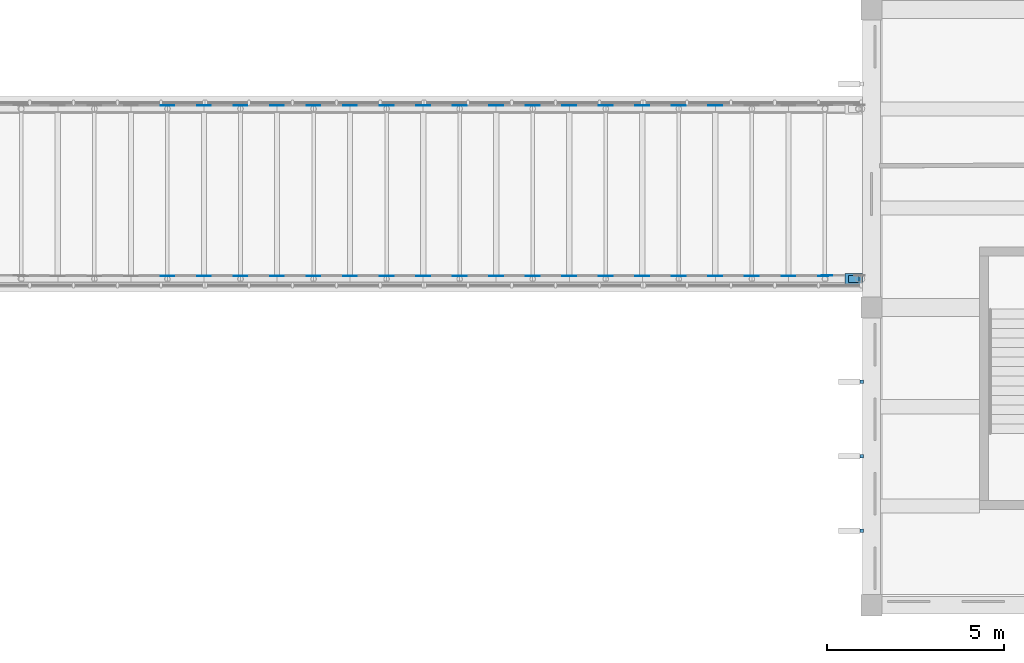
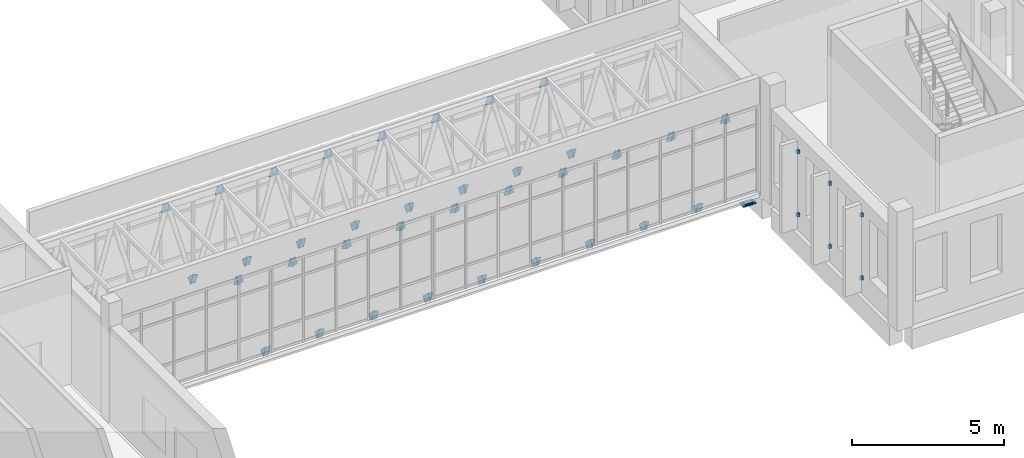
# One storey, part 81 of 119: 78 discrete accessories.
"""IFC4 building model written with IfcOpenShell, lengths in metres."""

from ifc_helpers import new_model, si_unit, direction, frame, origin, origin_2d, place, context, subcontext, project, spatial, rectangle, extrude, material, layer, layer_set, material_profile, profile_set, type_object, element, save


model = new_model("IFC4")

# Units and contexts
model_context = context("Model", 3, precision=1e-05, world=origin(), true_north=direction((0.0, 1.0)))
body_context = subcontext(model_context, "Body", "Model", "MODEL_VIEW")
ifc_project = project(units=[si_unit("LENGTHUNIT", "METRE"), si_unit("AREAUNIT", "SQUARE_METRE"), si_unit("VOLUMEUNIT", "CUBIC_METRE"), si_unit("PLANEANGLEUNIT", "RADIAN"), si_unit("MASSUNIT", "GRAM", prefix="KILO")], contexts=[model_context])

# Site, building, storey
site_placement = place(None, origin())
site = spatial("IfcSite", under=ifc_project, at=site_placement, CompositionType="ELEMENT")
building_placement = place(site_placement, origin())
building = spatial("IfcBuilding", under=site, at=building_placement, Name="Larchfold Concert Hall", CompositionType="ELEMENT")
storey_placement = place(building_placement, frame((0.0, 0.0, 4.800048828125)))
storey = spatial("IfcBuildingStorey", under=building, at=storey_placement, Name="L01", CompositionType="ELEMENT", Elevation=4.800048828125)

# Discrete accessories
ifc_material_1 = material(Name="Steel S355 galvanised bracket", Category="steel")
ifc_layer_1 = layer(ifc_material_1, 0.10009765625)
ifc_layer_set_1 = layer_set([ifc_layer_1], Name="Steel S355 galvanised bracket")
discrete_accessory_type_1 = type_object("IfcDiscreteAccessoryType", Name="Fin support bracket", PredefinedType="BRACKET", material=ifc_layer_set_1)
for number, where, z_axis, x_axis, name in (
    (1, (84.3251953125, 2.699951171875, 0.6298828125), (0.0, 0.0, 1.0), (-1.0, 0.0, 0.0), "Fin bracket FN-L01-067-1"),
    (2, (84.3251953125, 2.699951171875, 3.169921875), (0.0, 0.0, 1.0), (-1.0, 0.0, 0.0), "Fin bracket FN-L01-067-2"),
    (3, (84.3251953125, 4.800048828125, 0.6298828125), (0.0, 0.0, 1.0), (-1.0, 0.0, 0.0), "Fin bracket FN-L01-068-1"),
    (4, (84.3251953125, 4.800048828125, 3.169921875), (0.0, 0.0, 1.0), (-1.0, 0.0, 0.0), "Fin bracket FN-L01-068-2"),
    (5, (84.3251953125, 6.89990234375, 0.6298828125), (0.0, 0.0, 1.0), (-1.0, 0.0, 0.0), "Fin bracket FN-L01-069-1"),
    (6, (84.3251953125, 6.89990234375, 3.169921875), (0.0, 0.0, 1.0), (-1.0, 0.0, 0.0), "Fin bracket FN-L01-069-2"),
):
    element("IfcDiscreteAccessory", number, at=place(storey_placement, frame(where, z_axis=z_axis, x_axis=x_axis)), inside=storey, type_object=discrete_accessory_type_1, Name=name, PredefinedType="BRACKET", context=body_context, shape_type="SweptSolid", body=[
        extrude(rectangle(XDim=0.10009765625, YDim=0.10009765625, at=origin_2d()), origin(), (0.0, 0.0, 1.0), 0.139892578125),
    ])
ifc_material_2 = material(Name="Steel S355 galvanised bracket", Category="steel")
ifc_material_profile = material_profile(ifc_material_2, rectangle(XDim=0.011962890625, YDim=0.199951171875, at=origin_2d()))
ifc_profile_set = profile_set([ifc_material_profile], Name="Steel S355 galvanised bracket")
discrete_accessory_type_2 = type_object("IfcDiscreteAccessoryType", Name="Gusset plate 12x200", PredefinedType="BRACKET", material=ifc_profile_set)
for number, where, z_axis, x_axis, name in (
    (7, (64.65185546875, 9.89013671875, 2.947265625), (0.27500862401, 0.0, 0.961441759401), (0.0, 1.0, 0.0), "Gusset plate GP0816"),
    (8, (64.755615234375, 9.89013671875, 3.270751953125), (0.27500862401, 0.0, -0.961441759401), (0.0, 1.0, 0.0), "Gusset plate GP0817"),
    (9, (65.681640625, 9.89013671875, 0.03271484375), (0.27500862401, 0.0, -0.961441759401), (0.0, 1.0, 0.0), "Gusset plate GP0818"),
    (10, (65.785400390625, 9.89013671875, -0.290771484375), (0.27500862401, 0.0, 0.961441759401), (0.0, 1.0, 0.0), "Gusset plate GP0819"),
    (11, (66.711669921875, 9.89013671875, 2.947265625), (0.27500862401, 0.0, 0.961441759401), (0.0, 1.0, 0.0), "Gusset plate GP0820"),
    (12, (66.8154296875, 9.89013671875, 3.270751953125), (0.27500862401, 0.0, -0.961441759401), (0.0, 1.0, 0.0), "Gusset plate GP0821"),
    (13, (67.74169921875, 9.89013671875, 0.03271484375), (0.27500862401, 0.0, -0.961441759401), (0.0, 1.0, 0.0), "Gusset plate GP0822"),
    (14, (67.845458984375, 9.89013671875, -0.290771484375), (0.27500862401, 0.0, 0.961441759401), (0.0, 1.0, 0.0), "Gusset plate GP0823"),
    (15, (68.771728515625, 9.89013671875, 2.947265625), (0.27500862401, 0.0, 0.961441759401), (0.0, 1.0, 0.0), "Gusset plate GP0824"),
    (16, (68.87548828125, 9.89013671875, 3.270751953125), (0.27500862401, 0.0, -0.961441759401), (0.0, 1.0, 0.0), "Gusset plate GP0825"),
    (17, (69.8017578125, 9.89013671875, 0.03271484375), (0.27500862401, 0.0, -0.961441759401), (0.0, 1.0, 0.0), "Gusset plate GP0826"),
    (18, (69.905517578125, 9.89013671875, -0.290771484375), (0.27500862401, 0.0, 0.961441759401), (0.0, 1.0, 0.0), "Gusset plate GP0827"),
    (19, (70.831787109375, 9.89013671875, 2.947265625), (0.27500862401, 0.0, 0.961441759401), (0.0, 1.0, 0.0), "Gusset plate GP0828"),
    (20, (70.935546875, 9.89013671875, 3.270751953125), (0.27500862401, 0.0, -0.961441759401), (0.0, 1.0, 0.0), "Gusset plate GP0829"),
    (21, (71.86181640625, 9.89013671875, 0.03271484375), (0.27500862401, 0.0, -0.961441759401), (0.0, 1.0, 0.0), "Gusset plate GP0830"),
    (22, (71.965576171875, 9.89013671875, -0.290771484375), (0.27500862401, 0.0, 0.961441759401), (0.0, 1.0, 0.0), "Gusset plate GP0831"),
    (23, (72.891845703125, 9.89013671875, 2.947265625), (0.27500862401, 0.0, 0.961441759401), (0.0, 1.0, 0.0), "Gusset plate GP0832"),
    (24, (72.99560546875, 9.89013671875, 3.270751953125), (0.27500862401, 0.0, -0.961441759401), (0.0, 1.0, 0.0), "Gusset plate GP0833"),
    (25, (73.921875, 9.89013671875, 0.03271484375), (0.27500862401, 0.0, -0.961441759401), (0.0, 1.0, 0.0), "Gusset plate GP0834"),
    (26, (74.025634765625, 9.89013671875, -0.290771484375), (0.27500862401, 0.0, 0.961441759401), (0.0, 1.0, 0.0), "Gusset plate GP0835"),
    (27, (74.951904296875, 9.89013671875, 2.947265625), (0.27500862401, 0.0, 0.961441759401), (0.0, 1.0, 0.0), "Gusset plate GP0836"),
    (28, (75.0556640625, 9.89013671875, 3.270751953125), (0.27500862401, 0.0, -0.961441759401), (0.0, 1.0, 0.0), "Gusset plate GP0837"),
    (29, (75.98193359375, 9.89013671875, 0.03271484375), (0.27500862401, 0.0, -0.961441759401), (0.0, 1.0, 0.0), "Gusset plate GP0838"),
    (30, (76.085693359375, 9.89013671875, -0.290771484375), (0.27500862401, 0.0, 0.961441759401), (0.0, 1.0, 0.0), "Gusset plate GP0839"),
    (31, (77.011962890625, 9.89013671875, 2.947265625), (0.27500862401, 0.0, 0.961441759401), (0.0, 1.0, 0.0), "Gusset plate GP0840"),
    (32, (77.11572265625, 9.89013671875, 3.270751953125), (0.27500862401, 0.0, -0.961441759401), (0.0, 1.0, 0.0), "Gusset plate GP0841"),
    (33, (78.0419921875, 9.89013671875, 0.03271484375), (0.27500862401, 0.0, -0.961441759401), (0.0, 1.0, 0.0), "Gusset plate GP0842"),
    (34, (78.145751953125, 9.89013671875, -0.290771484375), (0.27500862401, 0.0, 0.961441759401), (0.0, 1.0, 0.0), "Gusset plate GP0843"),
    (35, (79.07177734375, 9.89013671875, 2.947265625), (0.27500862401, 0.0, 0.961441759401), (0.0, 1.0, 0.0), "Gusset plate GP0844"),
    (36, (79.175537109375, 9.89013671875, 3.270751953125), (0.27500862401, 0.0, -0.961441759401), (0.0, 1.0, 0.0), "Gusset plate GP0845"),
    (37, (80.101806640625, 9.89013671875, 0.03271484375), (0.27500862401, 0.0, -0.961441759401), (0.0, 1.0, 0.0), "Gusset plate GP0846"),
    (38, (80.20556640625, 9.89013671875, -0.290771484375), (0.27500862401, 0.0, 0.961441759401), (0.0, 1.0, 0.0), "Gusset plate GP0847"),
    (39, (81.1318359375, 9.89013671875, 2.947265625), (0.27500862401, 0.0, 0.961441759401), (0.0, 1.0, 0.0), "Gusset plate GP0848"),
    (40, (81.235595703125, 9.89013671875, 3.270751953125), (0.27500862401, 0.0, -0.961441759401), (0.0, 1.0, 0.0), "Gusset plate GP0849"),
    (41, (82.161865234375, 9.89013671875, 0.03271484375), (0.27500862401, 0.0, -0.961441759401), (0.0, 1.0, 0.0), "Gusset plate GP0850"),
    (42, (82.265625, 9.89013671875, -0.290771484375), (0.27500862401, 0.0, 0.961441759401), (0.0, 1.0, 0.0), "Gusset plate GP0851"),
    (43, (83.19189453125, 9.89013671875, 2.947265625), (0.27500862401, 0.0, 0.961441759401), (0.0, 1.0, 0.0), "Gusset plate GP0852"),
):
    element("IfcDiscreteAccessory", number, at=place(storey_placement, frame(where, z_axis=z_axis, x_axis=x_axis)), inside=storey, type_object=discrete_accessory_type_2, Name=name, PredefinedType="BRACKET", context=body_context, shape_type="SweptSolid", body=[
        extrude(rectangle(XDim=0.011962890625, YDim=0.199951171875, at=origin_2d()), origin(), (0.0, 0.0, 1.0), 0.33642578125),
    ])
discrete_accessory_1_placement = place(storey_placement, frame((83.295654296875, 9.90283203125, 3.270751953125), z_axis=(0.274887664685, 0.0, -0.961476350101), x_axis=(0.0, 1.0, 0.0)))
element("IfcDiscreteAccessory", 44, at=discrete_accessory_1_placement, inside=storey, type_object=discrete_accessory_type_2, Name="Gusset plate GP0853", PredefinedType="BRACKET", context=body_context, shape_type="SweptSolid", body=[
    extrude(rectangle(XDim=0.011962890625, YDim=0.199951171875, at=origin_2d()), origin(), (0.0, 0.0, 1.0), 0.38720703125),
])
for number, where, z_axis, x_axis, name in (
    (45, (64.65185546875, 14.690185546875, 2.947265625), (0.27500862401, 0.0, 0.961441759401), (0.0, 1.0, 0.0), "Gusset plate GP0868"),
    (46, (64.755615234375, 14.690185546875, 3.270751953125), (0.27500862401, 0.0, -0.961441759401), (0.0, 1.0, 0.0), "Gusset plate GP0869"),
    (47, (65.681640625, 14.690185546875, 0.03271484375), (0.27500862401, 0.0, -0.961441759401), (0.0, 1.0, 0.0), "Gusset plate GP0870"),
    (48, (65.785400390625, 14.690185546875, -0.290771484375), (0.27500862401, 0.0, 0.961441759401), (0.0, 1.0, 0.0), "Gusset plate GP0871"),
    (49, (66.711669921875, 14.690185546875, 2.947265625), (0.27500862401, 0.0, 0.961441759401), (0.0, 1.0, 0.0), "Gusset plate GP0872"),
    (50, (66.8154296875, 14.690185546875, 3.270751953125), (0.27500862401, 0.0, -0.961441759401), (0.0, 1.0, 0.0), "Gusset plate GP0873"),
    (51, (67.74169921875, 14.690185546875, 0.03271484375), (0.27500862401, 0.0, -0.961441759401), (0.0, 1.0, 0.0), "Gusset plate GP0874"),
    (52, (67.845458984375, 14.690185546875, -0.290771484375), (0.27500862401, 0.0, 0.961441759401), (0.0, 1.0, 0.0), "Gusset plate GP0875"),
    (53, (68.771728515625, 14.690185546875, 2.947265625), (0.27500862401, 0.0, 0.961441759401), (0.0, 1.0, 0.0), "Gusset plate GP0876"),
    (54, (68.87548828125, 14.690185546875, 3.270751953125), (0.27500862401, 0.0, -0.961441759401), (0.0, 1.0, 0.0), "Gusset plate GP0877"),
    (55, (69.8017578125, 14.690185546875, 0.03271484375), (0.27500862401, 0.0, -0.961441759401), (0.0, 1.0, 0.0), "Gusset plate GP0878"),
    (56, (69.905517578125, 14.690185546875, -0.290771484375), (0.27500862401, 0.0, 0.961441759401), (0.0, 1.0, 0.0), "Gusset plate GP0879"),
    (57, (70.831787109375, 14.690185546875, 2.947265625), (0.27500862401, 0.0, 0.961441759401), (0.0, 1.0, 0.0), "Gusset plate GP0880"),
    (58, (70.935546875, 14.690185546875, 3.270751953125), (0.27500862401, 0.0, -0.961441759401), (0.0, 1.0, 0.0), "Gusset plate GP0881"),
    (59, (71.86181640625, 14.690185546875, 0.03271484375), (0.27500862401, 0.0, -0.961441759401), (0.0, 1.0, 0.0), "Gusset plate GP0882"),
    (60, (71.965576171875, 14.690185546875, -0.290771484375), (0.27500862401, 0.0, 0.961441759401), (0.0, 1.0, 0.0), "Gusset plate GP0883"),
    (61, (72.891845703125, 14.690185546875, 2.947265625), (0.27500862401, 0.0, 0.961441759401), (0.0, 1.0, 0.0), "Gusset plate GP0884"),
    (62, (72.99560546875, 14.690185546875, 3.270751953125), (0.27500862401, 0.0, -0.961441759401), (0.0, 1.0, 0.0), "Gusset plate GP0885"),
    (63, (73.921875, 14.690185546875, 0.03271484375), (0.27500862401, 0.0, -0.961441759401), (0.0, 1.0, 0.0), "Gusset plate GP0886"),
    (64, (74.025634765625, 14.690185546875, -0.290771484375), (0.27500862401, 0.0, 0.961441759401), (0.0, 1.0, 0.0), "Gusset plate GP0887"),
    (65, (74.951904296875, 14.690185546875, 2.947265625), (0.27500862401, 0.0, 0.961441759401), (0.0, 1.0, 0.0), "Gusset plate GP0888"),
    (66, (75.0556640625, 14.690185546875, 3.270751953125), (0.27500862401, 0.0, -0.961441759401), (0.0, 1.0, 0.0), "Gusset plate GP0889"),
    (67, (75.98193359375, 14.690185546875, 0.03271484375), (0.27500862401, 0.0, -0.961441759401), (0.0, 1.0, 0.0), "Gusset plate GP0890"),
    (68, (76.085693359375, 14.690185546875, -0.290771484375), (0.27500862401, 0.0, 0.961441759401), (0.0, 1.0, 0.0), "Gusset plate GP0891"),
    (69, (77.011962890625, 14.690185546875, 2.947265625), (0.27500862401, 0.0, 0.961441759401), (0.0, 1.0, 0.0), "Gusset plate GP0892"),
    (70, (77.11572265625, 14.690185546875, 3.270751953125), (0.27500862401, 0.0, -0.961441759401), (0.0, 1.0, 0.0), "Gusset plate GP0893"),
    (71, (78.0419921875, 14.690185546875, 0.03271484375), (0.27500862401, 0.0, -0.961441759401), (0.0, 1.0, 0.0), "Gusset plate GP0894"),
    (72, (78.145751953125, 14.690185546875, -0.290771484375), (0.27500862401, 0.0, 0.961441759401), (0.0, 1.0, 0.0), "Gusset plate GP0895"),
    (73, (79.07177734375, 14.690185546875, 2.947265625), (0.27500862401, 0.0, 0.961441759401), (0.0, 1.0, 0.0), "Gusset plate GP0896"),
    (74, (79.175537109375, 14.690185546875, 3.270751953125), (0.27500862401, 0.0, -0.961441759401), (0.0, 1.0, 0.0), "Gusset plate GP0897"),
    (75, (80.101806640625, 14.690185546875, 0.03271484375), (0.27500862401, 0.0, -0.961441759401), (0.0, 1.0, 0.0), "Gusset plate GP0898"),
    (76, (80.20556640625, 14.690185546875, -0.290771484375), (0.27500862401, 0.0, 0.961441759401), (0.0, 1.0, 0.0), "Gusset plate GP0899"),
):
    element("IfcDiscreteAccessory", number, at=place(storey_placement, frame(where, z_axis=z_axis, x_axis=x_axis)), inside=storey, type_object=discrete_accessory_type_2, Name=name, PredefinedType="BRACKET", context=body_context, shape_type="SweptSolid", body=[
        extrude(rectangle(XDim=0.011962890625, YDim=0.199951171875, at=origin_2d()), origin(), (0.0, 0.0, 1.0), 0.33642578125),
    ])
ifc_material_3 = material(Name="Steel S355 galvanised bracket", Category="steel")
ifc_layer_2 = layer(ifc_material_3, 0.030029296875)
ifc_layer_set_2 = layer_set([ifc_layer_2], Name="Steel S355 galvanised bracket")
discrete_accessory_type_3 = type_object("IfcDiscreteAccessoryType", Name="Link bridge seat plate 500x300x30", PredefinedType="BRACKET", material=ifc_layer_set_2)
discrete_accessory_2_placement = place(storey_placement, frame((84.10009765625, 9.800048828125, -0.5302734375), z_axis=(0.0, 0.0, 1.0), x_axis=(1.0, 0.0, 0.0)))
element("IfcDiscreteAccessory", 77, at=discrete_accessory_2_placement, inside=storey, type_object=discrete_accessory_type_3, Name="Link bridge seat LBT1", PredefinedType="BRACKET", context=body_context, shape_type="SweptSolid", body=[
    extrude(rectangle(XDim=0.5, YDim=0.300048828125, at=origin_2d()), origin(), (0.0, 0.0, 1.0), 0.030029296875),
])
ifc_material_4 = material(Name="Steel S355 sliding bearing with PTFE on stainless steel", Category="steel")
ifc_layer_3 = layer(ifc_material_4, 0.0400390625)
ifc_layer_set_3 = layer_set([ifc_layer_3], Name="Steel S355 sliding bearing with PTFE on stainless steel")
discrete_accessory_type_4 = type_object("IfcDiscreteAccessoryType", Name="Link bridge sliding bearing 300x200x40", PredefinedType="SHOE", material=ifc_layer_set_3)
discrete_accessory_3_placement = place(storey_placement, frame((84.10009765625, 9.800048828125, -0.5), z_axis=(0.0, 0.0, 1.0), x_axis=(1.0, 0.0, 0.0)))
element("IfcDiscreteAccessory", 78, at=discrete_accessory_3_placement, inside=storey, type_object=discrete_accessory_type_4, Name="Link bridge bearing LBB1", PredefinedType="SHOE", context=body_context, shape_type="SweptSolid", body=[
    extrude(rectangle(XDim=0.300048828125, YDim=0.199951171875, at=origin_2d()), origin(), (0.0, 0.0, 1.0), 0.0400390625),
])

save(model, "model.ifc")
